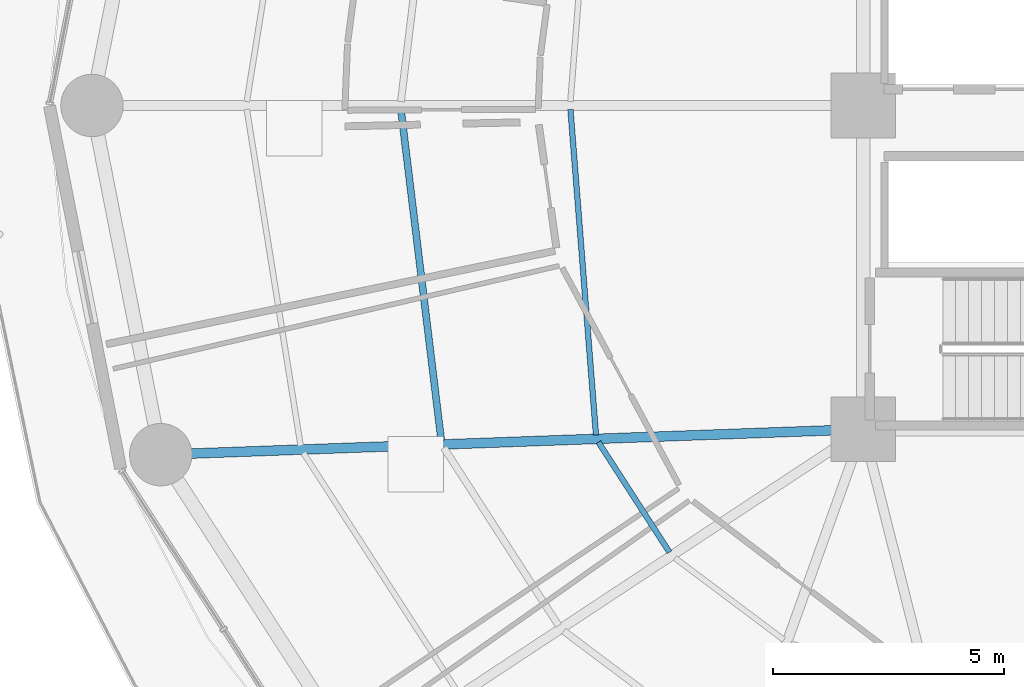
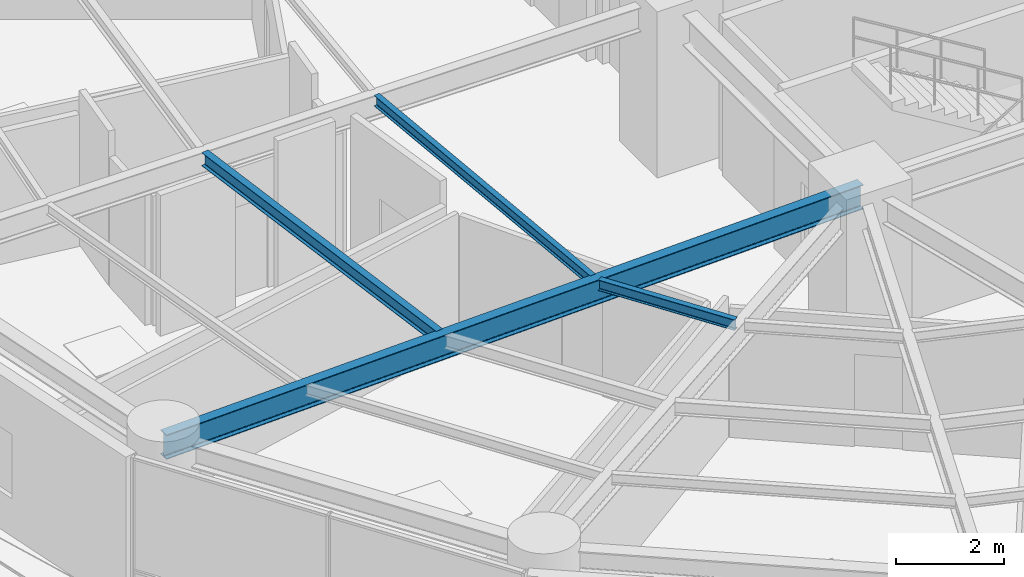
# One storey, part 7 of 35: 4 beams.
"""IFC4 building model written with IfcOpenShell, lengths in metres."""

from ifc_helpers import new_model, si_unit, direction, frame, origin, origin_2d, place, context, subcontext, project, spatial, i_section, extrude, material, material_profile, profile_set, type_object, element, save


model = new_model("IFC4")

# Units and contexts
model_context = context("Model", 3, precision=1e-05, world=origin(), true_north=direction((0.0, 1.0)))
body_context = subcontext(model_context, "Body", "Model", "MODEL_VIEW")
ifc_project = project(units=[si_unit("LENGTHUNIT", "METRE"), si_unit("AREAUNIT", "SQUARE_METRE"), si_unit("VOLUMEUNIT", "CUBIC_METRE"), si_unit("PLANEANGLEUNIT", "RADIAN"), si_unit("MASSUNIT", "GRAM", prefix="KILO")], contexts=[model_context])

# Site, building, storey
site_placement = place(None, origin())
site = spatial("IfcSite", under=ifc_project, at=site_placement, CompositionType="ELEMENT")
building_placement = place(site_placement, origin())
building = spatial("IfcBuilding", under=site, at=building_placement, Name="Kelanora Arch Commons", CompositionType="ELEMENT")
storey_placement = place(building_placement, frame((0.0, 0.0, 91.35009765625)))
storey = spatial("IfcBuildingStorey", under=building, at=storey_placement, Name="L23", CompositionType="ELEMENT", Elevation=91.35009765625)

# Beams
ifc_material = material(Name="Steel S355", Category="steel")
ifc_material_profile_1 = material_profile(ifc_material, i_section(OverallWidth=0.14990234375, OverallDepth=0.300048828125, WebThickness=0.007080078125, FlangeThickness=0.0107421875, FilletRadius=0.014892578125, at=origin_2d()), Name="IPE300")
ifc_profile_set_1 = profile_set([ifc_material_profile_1], Name="Steel S355")
beam_type_1 = type_object("IfcBeamType", Name="BM-JST-01", PredefinedType="JOIST", material=ifc_profile_set_1)
beam_1_placement = place(storey_placement, frame((56.002197265625, 57.91552734375, 3.33984375), z_axis=(0.120935645266, -0.992660349618, 0.0), x_axis=(0.992660349618, 0.120935645266, 0.0)))
element("IfcBeam", 1, at=beam_1_placement, inside=storey, type_object=beam_type_1, Name="Secondary Chord Joist BJB-18 L23", PredefinedType="JOIST", context=body_context, shape_type="SweptSolid", body=[
    extrude(i_section(OverallWidth=0.14990234375, OverallDepth=0.300048828125, WebThickness=0.007080078125, FlangeThickness=0.0107421875, FilletRadius=0.014892578125, at=origin_2d()), origin(), (0.0, 0.0, 1.0), 7.215087890625),
])
ifc_material_profile_2 = material_profile(ifc_material, i_section(OverallWidth=0.1201171875, OverallDepth=0.239990234375, WebThickness=0.006103515625, FlangeThickness=0.009765625, FilletRadius=0.014892578125, at=origin_2d()), Name="IPE240")
ifc_profile_set_2 = profile_set([ifc_material_profile_2], Name="Steel S355")
beam_type_2 = type_object("IfcBeamType", Name="BM-JST-02", PredefinedType="JOIST", material=ifc_profile_set_2)
beam_2_placement = place(storey_placement, frame((59.668212890625, 57.915283203125, 3.369873046875), z_axis=(0.078200677502, -0.996937637989, 0.0), x_axis=(0.996937637989, 0.078200677502, 0.0)))
element("IfcBeam", 2, at=beam_2_placement, inside=storey, type_object=beam_type_2, Name="Secondary Chord Joist BJA-18 L23", PredefinedType="JOIST", context=body_context, shape_type="SweptSolid", body=[
    extrude(i_section(OverallWidth=0.1201171875, OverallDepth=0.239990234375, WebThickness=0.006103515625, FlangeThickness=0.009765625, FilletRadius=0.014892578125, at=origin_2d()), origin(), (0.0, 0.0, 1.0), 7.06201171875),
])
beam_3_placement = place(storey_placement, frame((60.273193359375, 50.718994140625, 3.369873046875), z_axis=(0.542211255502, -0.840242199849, 0.0), x_axis=(0.840242199849, 0.542211255502, 0.0)))
element("IfcBeam", 3, at=beam_3_placement, inside=storey, type_object=beam_type_2, Name="Secondary Chord Joist BJA-20 L23", PredefinedType="JOIST", context=body_context, shape_type="SweptSolid", body=[
    extrude(i_section(OverallWidth=0.1201171875, OverallDepth=0.239990234375, WebThickness=0.006103515625, FlangeThickness=0.009765625, FilletRadius=0.014892578125, at=origin_2d()), origin(), (0.0, 0.0, 1.0), 2.83349609375),
])
ifc_material_profile_3 = material_profile(ifc_material, i_section(OverallWidth=0.2099609375, OverallDepth=0.550048828125, WebThickness=0.010986328125, FlangeThickness=0.01708984375, FilletRadius=0.02392578125, at=origin_2d()), Name="IPE550")
ifc_profile_set_3 = profile_set([ifc_material_profile_3], Name="Steel S355")
beam_type_3 = type_object("IfcBeamType", Name="BM-RAD-Z2", PredefinedType="BEAM", material=ifc_profile_set_3)
beam_4_placement = place(storey_placement, frame((66.0, 51.0, 3.21484375), z_axis=(-0.999341087625, -0.036295875581, 0.0), x_axis=(0.036295875581, -0.999341087625, 0.0)))
element("IfcBeam", 4, at=beam_4_placement, inside=storey, type_object=beam_type_3, Name="Radial Floor Girder BR-20 L23", PredefinedType="BEAM", context=body_context, shape_type="SweptSolid", body=[
    extrude(i_section(OverallWidth=0.2099609375, OverallDepth=0.550048828125, WebThickness=0.010986328125, FlangeThickness=0.01708984375, FilletRadius=0.02392578125, at=origin_2d()), origin(), (0.0, 0.0, 1.0), 15.20166015625),
])

save(model, "model.ifc")
